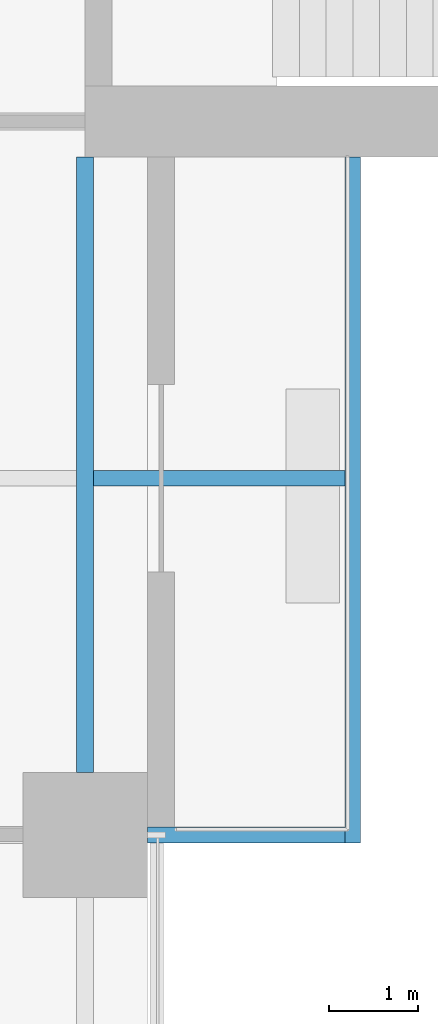
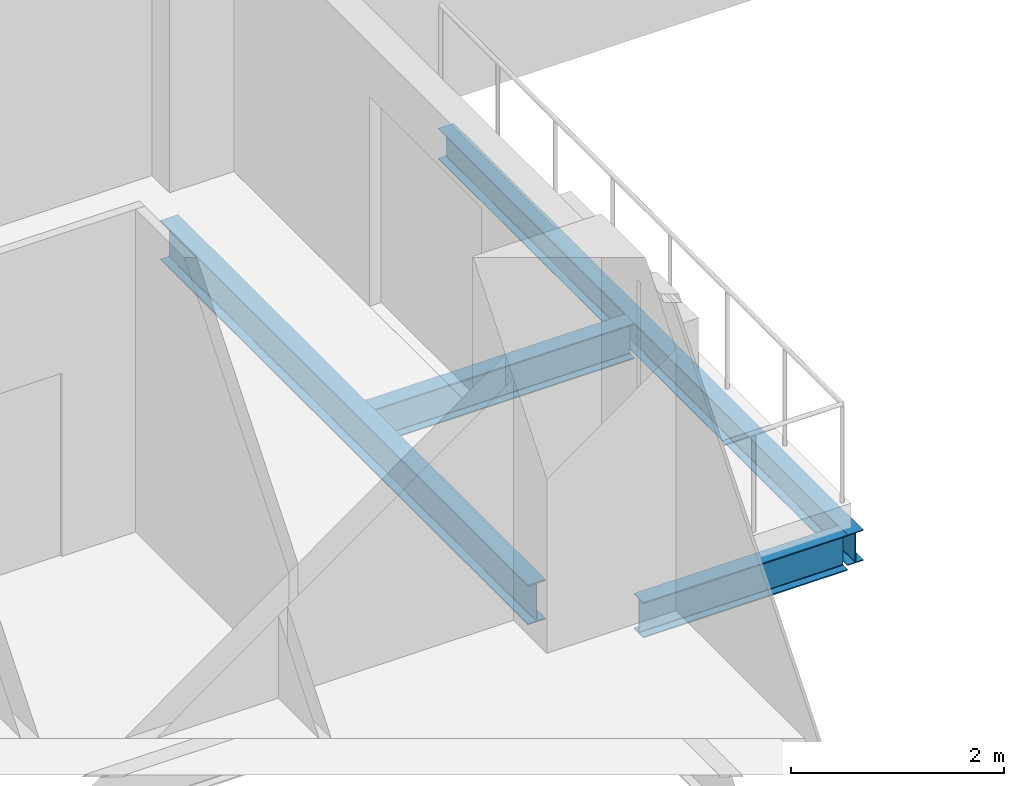
# One storey, part 5 of 27: 4 beams.
"""IFC4 building model written with IfcOpenShell, lengths in metres."""

from ifc_helpers import new_model, si_unit, direction, frame, origin, origin_2d, place, context, subcontext, project, spatial, i_section, extrude, material, material_profile, profile_set, type_object, element, save


model = new_model("IFC4")

# Units and contexts
model_context = context("Model", 3, precision=1e-05, world=origin(), true_north=direction((0.0, 1.0)))
body_context = subcontext(model_context, "Body", "Model", "MODEL_VIEW")
ifc_project = project(units=[si_unit("LENGTHUNIT", "METRE"), si_unit("AREAUNIT", "SQUARE_METRE"), si_unit("VOLUMEUNIT", "CUBIC_METRE"), si_unit("PLANEANGLEUNIT", "RADIAN"), si_unit("MASSUNIT", "GRAM", prefix="KILO")], contexts=[model_context])

# Site, building, storey
site_placement = place(None, origin())
site = spatial("IfcSite", under=ifc_project, at=site_placement, CompositionType="ELEMENT")
building_placement = place(site_placement, origin())
building = spatial("IfcBuilding", under=site, at=building_placement, Name="Crosswind Convention Tower", CompositionType="ELEMENT")
storey_placement = place(building_placement, frame((0.0, 0.0, 68.300048828125)))
storey = spatial("IfcBuildingStorey", under=building, at=storey_placement, Name="L11", CompositionType="ELEMENT", Elevation=68.300048828125)

# Beams
ifc_material = material(Name="Steel S355", Category="steel")
ifc_material_profile_1 = material_profile(ifc_material, i_section(OverallWidth=0.177734375, OverallDepth=0.406494140625, WebThickness=0.0078125, FlangeThickness=0.0126953125, FilletRadius=0.01025390625, at=origin_2d()), Name="UB 406x178x60")
ifc_profile_set_1 = profile_set([ifc_material_profile_1], Name="Steel S355")
beam_type_1 = type_object("IfcBeamType", Name="Balcony cantilever UB 406x178x60", PredefinedType="BEAM", material=ifc_profile_set_1)
beam_1_placement = place(storey_placement, frame((137.09521484375, 84.0, -0.483154296875), z_axis=(1.0, 0.0, 0.0), x_axis=(0.0, 1.0, 0.0)))
element("IfcBeam", 1, at=beam_1_placement, inside=storey, type_object=beam_type_1, Name="B35 L11 balcony cantilever SE 10", PredefinedType="BEAM", context=body_context, shape_type="SweptSolid", body=[
    extrude(i_section(OverallWidth=0.177734375, OverallDepth=0.406494140625, WebThickness=0.0078125, FlangeThickness=0.0126953125, FilletRadius=0.01025390625, at=origin_2d()), origin(), (0.0, 0.0, 1.0), 2.8193359375),
])
beam_2_placement = place(storey_placement, frame((137.699951171875, 80.0, -0.483154296875), z_axis=(1.0, 0.0, 0.0), x_axis=(0.0, 1.0, 0.0)))
element("IfcBeam", 2, at=beam_2_placement, inside=storey, type_object=beam_type_1, Name="B35 L11 balcony cantilever SE 11", PredefinedType="BEAM", context=body_context, shape_type="SweptSolid", body=[
    extrude(i_section(OverallWidth=0.177734375, OverallDepth=0.406494140625, WebThickness=0.0078125, FlangeThickness=0.0126953125, FilletRadius=0.01025390625, at=origin_2d()), origin(), (0.0, 0.0, 1.0), 2.214599609375),
])
ifc_material_profile_2 = material_profile(ifc_material, i_section(OverallWidth=0.1708984375, OverallDepth=0.35205078125, WebThickness=0.0068359375, FlangeThickness=0.009765625, FilletRadius=0.01025390625, at=origin_2d()), Name="UB 356x171x45")
ifc_profile_set_2 = profile_set([ifc_material_profile_2], Name="Steel S355")
beam_type_2 = type_object("IfcBeamType", Name="Balcony edge beam UB 356x171x45", PredefinedType="BEAM", material=ifc_profile_set_2)
beam_3_placement = place(storey_placement, frame((140.0, 87.60009765625, -0.4560546875), z_axis=(0.0, -1.0, 0.0), x_axis=(1.0, 0.0, 0.0)))
element("IfcBeam", 3, at=beam_3_placement, inside=storey, type_object=beam_type_2, Name="B37 L11 balcony edge beam SE 12", PredefinedType="BEAM", context=body_context, shape_type="SweptSolid", body=[
    extrude(i_section(OverallWidth=0.1708984375, OverallDepth=0.35205078125, WebThickness=0.0068359375, FlangeThickness=0.009765625, FilletRadius=0.01025390625, at=origin_2d()), origin(), (0.0, 0.0, 1.0), 7.68896484375),
])
ifc_material_profile_3 = material_profile(ifc_material, i_section(OverallWidth=0.1904296875, OverallDepth=0.457275390625, WebThickness=0.009033203125, FlangeThickness=0.014404296875, FilletRadius=0.01025390625, at=origin_2d()), Name="UB 457x191x75")
ifc_profile_set_3 = profile_set([ifc_material_profile_3], Name="Steel S355")
beam_type_3 = type_object("IfcBeamType", Name="Edge beam UB 457x191x75", PredefinedType="SPANDREL", material=ifc_profile_set_3)
beam_4_placement = place(storey_placement, frame((137.0, 80.699951171875, -0.508544921875), z_axis=(0.0, 1.0, 0.0), x_axis=(-1.0, 0.0, 0.0)))
element("IfcBeam", 4, at=beam_4_placement, inside=storey, type_object=beam_type_3, Name="B17 L11 edge beam 20", PredefinedType="SPANDREL", context=body_context, shape_type="SweptSolid", body=[
    extrude(i_section(OverallWidth=0.1904296875, OverallDepth=0.457275390625, WebThickness=0.009033203125, FlangeThickness=0.014404296875, FilletRadius=0.01025390625, at=origin_2d()), origin(), (0.0, 0.0, 1.0), 6.900146484375),
])

save(model, "model.ifc")
